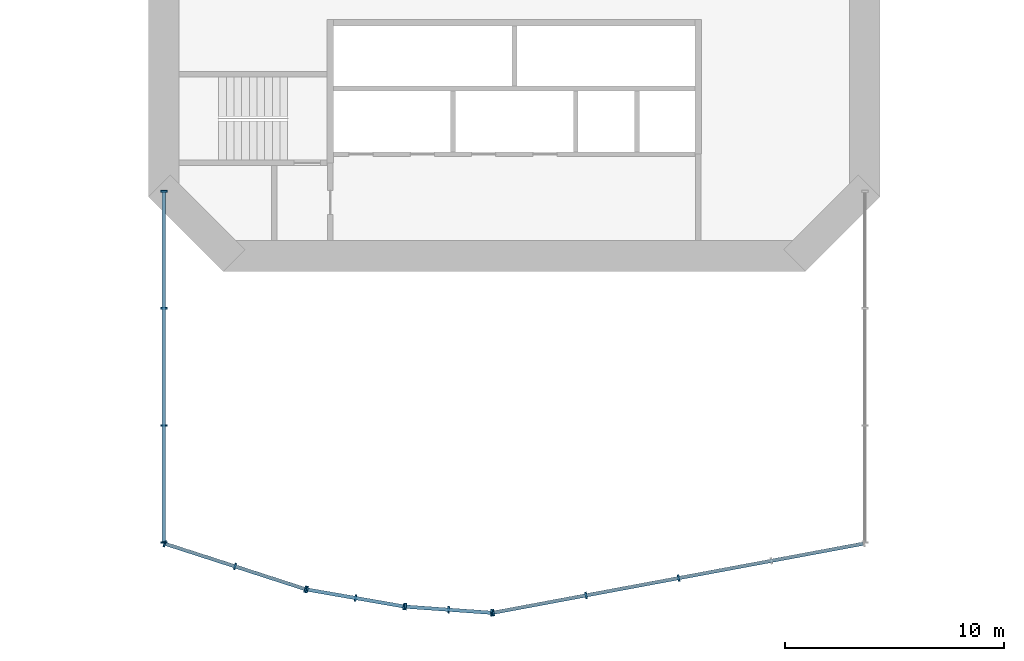
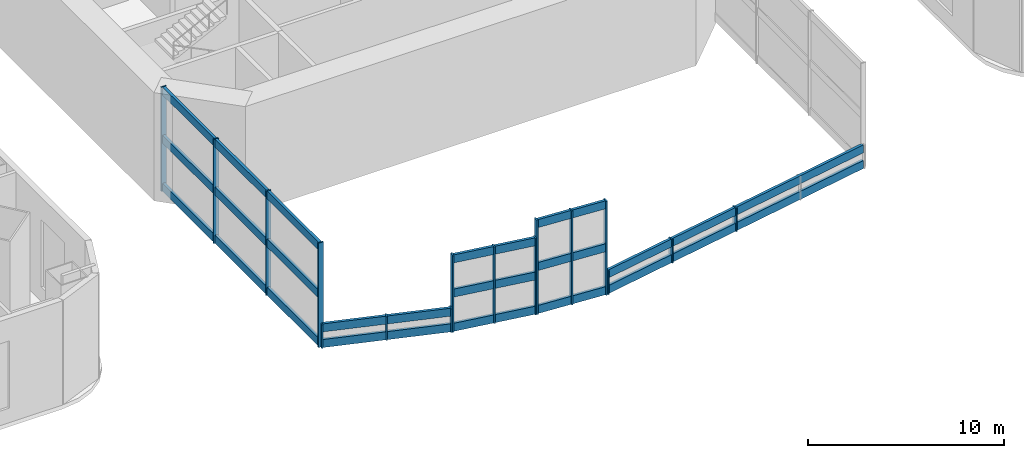
# One storey, part 2 of 19: 29 members, 5 elements without a shape of their own.
"""IFC4 building model written with IfcOpenShell, lengths in metres."""

from ifc_helpers import new_model, si_unit, direction, frame, origin, origin_2d, place, context, subcontext, project, spatial, rectangle, extrude, material, material_profile, profile_set, type_object, element, aggregate, save


model = new_model("IFC4")

# Units and contexts
model_context = context("Model", 3, precision=1e-05, world=origin(), true_north=direction((0.0, 1.0)))
body_context = subcontext(model_context, "Body", "Model", "MODEL_VIEW")
ifc_project = project(units=[si_unit("LENGTHUNIT", "METRE"), si_unit("AREAUNIT", "SQUARE_METRE"), si_unit("VOLUMEUNIT", "CUBIC_METRE"), si_unit("PLANEANGLEUNIT", "RADIAN"), si_unit("MASSUNIT", "GRAM", prefix="KILO")], contexts=[model_context])

# Site, building, storey
site_placement = place(None, origin())
site = spatial("IfcSite", under=ifc_project, at=site_placement, CompositionType="ELEMENT")
building_placement = place(site_placement, origin())
building = spatial("IfcBuilding", under=site, at=building_placement, Name="Marenthal Gate Tower", CompositionType="ELEMENT")
storey_placement = place(building_placement, frame((0.0, 0.0, 19.0)))
storey = spatial("IfcBuildingStorey", under=building, at=storey_placement, Name="L02", CompositionType="ELEMENT", Elevation=19.0)

# Curtain wall, members
ifc_material_1 = material(Name="Aluminium and glass", Category="aluminium")
curtain_wall_type = type_object("IfcCurtainWallType", Name="Curtain wall arch infill", PredefinedType="NOTDEFINED", material=ifc_material_1)
curtain_wall_1_placement = place(storey_placement, origin())
curtain_wall_1 = element("IfcCurtainWall", 1, at=curtain_wall_1_placement, inside=storey, type_object=curtain_wall_type, Name="Curtain wall L02 arch S1", PredefinedType="NOTDEFINED")
ifc_material_2 = material(Name="Aluminium", Category="aluminium")
ifc_material_profile_1 = material_profile(ifc_material_2, rectangle(XDim=0.300048828125, YDim=0.080078125, at=origin_2d()), Name="80x300 aluminium mullion")
ifc_profile_set_1 = profile_set([ifc_material_profile_1], Name="Aluminium")
member_type_1 = type_object("IfcMemberType", Name="Mullion 80x300 arch infill", PredefinedType="MULLION", material=ifc_profile_set_1)
member_1_placement = place(storey_placement, frame((-15.9619140625, -26.129638671875, 0.0), z_axis=(0.0, 0.0, 1.0), x_axis=(0.307641410292, 0.951502371344, 0.0)))
member_1 = element("IfcMember", 2, at=member_1_placement, type_object=member_type_1, Name="Mullion L02 arch S1.1", PredefinedType="MULLION", context=body_context, shape_type="SweptSolid", body=[
    extrude(rectangle(XDim=0.300048828125, YDim=0.080078125, at=origin_2d()), origin(), (0.0, 0.0, 1.0), 1.47509765625),
])
member_2_placement = place(storey_placement, frame((-12.75, -27.168212890625, 0.0), z_axis=(0.0, 0.0, 1.0), x_axis=(0.307641410292, 0.951502371344, 0.0)))
member_2 = element("IfcMember", 3, at=member_2_placement, type_object=member_type_1, Name="Mullion L02 arch S1.2", PredefinedType="MULLION", context=body_context, shape_type="SweptSolid", body=[
    extrude(rectangle(XDim=0.300048828125, YDim=0.080078125, at=origin_2d()), origin(), (0.0, 0.0, 1.0), 1.47509765625),
])
member_3_placement = place(storey_placement, frame((-9.5380859375, -28.206787109375, 0.0), z_axis=(0.0, 0.0, 1.0), x_axis=(0.307641410292, 0.951502371344, 0.0)))
member_3 = element("IfcMember", 4, at=member_3_placement, type_object=member_type_1, Name="Mullion L02 arch S1.3", PredefinedType="MULLION", context=body_context, shape_type="SweptSolid", body=[
    extrude(rectangle(XDim=0.300048828125, YDim=0.080078125, at=origin_2d()), origin(), (0.0, 0.0, 1.0), 1.47509765625),
])

curtain_wall_2_placement = place(storey_placement, origin())
curtain_wall_2 = element("IfcCurtainWall", 5, at=curtain_wall_2_placement, inside=storey, type_object=curtain_wall_type, Name="Curtain wall L02 arch S2", PredefinedType="NOTDEFINED")
member_4_placement = place(storey_placement, frame((-9.460693359375, -28.225830078125, 0.0), z_axis=(0.0, 0.0, 1.0), x_axis=(0.171972780668, 0.985101701709, 0.0)))
member_4 = element("IfcMember", 6, at=member_4_placement, type_object=member_type_1, Name="Mullion L02 arch S2.1", PredefinedType="MULLION", context=body_context, shape_type="SweptSolid", body=[
    extrude(rectangle(XDim=0.300048828125, YDim=0.080078125, at=origin_2d()), origin(), (0.0, 0.0, 1.0), 4.764892578125),
])
member_5_placement = place(storey_placement, frame((-7.25, -28.61181640625, 0.0), z_axis=(0.0, 0.0, 1.0), x_axis=(0.171972780668, 0.985101701709, 0.0)))
member_5 = element("IfcMember", 7, at=member_5_placement, type_object=member_type_1, Name="Mullion L02 arch S2.2", PredefinedType="MULLION", context=body_context, shape_type="SweptSolid", body=[
    extrude(rectangle(XDim=0.300048828125, YDim=0.080078125, at=origin_2d()), origin(), (0.0, 0.0, 1.0), 4.764892578125),
])
member_6_placement = place(storey_placement, frame((-5.039306640625, -28.997802734375, 0.0), z_axis=(0.0, 0.0, 1.0), x_axis=(0.171972780668, 0.985101701709, 0.0)))
member_6 = element("IfcMember", 8, at=member_6_placement, type_object=member_type_1, Name="Mullion L02 arch S2.3", PredefinedType="MULLION", context=body_context, shape_type="SweptSolid", body=[
    extrude(rectangle(XDim=0.300048828125, YDim=0.080078125, at=origin_2d()), origin(), (0.0, 0.0, 1.0), 4.764892578125),
])

curtain_wall_3_placement = place(storey_placement, origin())
curtain_wall_3 = element("IfcCurtainWall", 9, at=curtain_wall_3_placement, inside=storey, type_object=curtain_wall_type, Name="Curtain wall L02 arch S3", PredefinedType="NOTDEFINED")
member_7_placement = place(storey_placement, frame((-4.960205078125, -29.00732421875, 0.0), z_axis=(0.0, 0.0, 1.0), x_axis=(0.070734733401, 0.997495161638, 0.0)))
member_7 = element("IfcMember", 10, at=member_7_placement, type_object=member_type_1, Name="Mullion L02 arch S3.1", PredefinedType="MULLION", context=body_context, shape_type="SweptSolid", body=[
    extrude(rectangle(XDim=0.300048828125, YDim=0.080078125, at=origin_2d()), origin(), (0.0, 0.0, 1.0), 5.85400390625),
])
member_8_placement = place(storey_placement, frame((-3.0, -29.146484375, 0.0), z_axis=(0.0, 0.0, 1.0), x_axis=(0.070734733401, 0.997495161638, 0.0)))
member_8 = element("IfcMember", 11, at=member_8_placement, type_object=member_type_1, Name="Mullion L02 arch S3.2", PredefinedType="MULLION", context=body_context, shape_type="SweptSolid", body=[
    extrude(rectangle(XDim=0.300048828125, YDim=0.080078125, at=origin_2d()), origin(), (0.0, 0.0, 1.0), 5.85400390625),
])
member_9_placement = place(storey_placement, frame((-1.039794921875, -29.285400390625, 0.0), z_axis=(0.0, 0.0, 1.0), x_axis=(0.070734733401, 0.997495161638, 0.0)))
member_9 = element("IfcMember", 12, at=member_9_placement, type_object=member_type_1, Name="Mullion L02 arch S3.3", PredefinedType="MULLION", context=body_context, shape_type="SweptSolid", body=[
    extrude(rectangle(XDim=0.300048828125, YDim=0.080078125, at=origin_2d()), origin(), (0.0, 0.0, 1.0), 5.85400390625),
])

curtain_wall_4_placement = place(storey_placement, origin())
curtain_wall_4 = element("IfcCurtainWall", 13, at=curtain_wall_4_placement, inside=storey, type_object=curtain_wall_type, Name="Curtain wall L02 arch S4", PredefinedType="NOTDEFINED")
member_10_placement = place(storey_placement, frame((-0.960693359375, -29.281005859375, 0.0), z_axis=(0.0, 0.0, 1.0), x_axis=(-0.183356787375, 0.983046432537, 0.0)))
member_10 = element("IfcMember", 14, at=member_10_placement, type_object=member_type_1, Name="Mullion L02 arch S4.1", PredefinedType="MULLION", context=body_context, shape_type="SweptSolid", body=[
    extrude(rectangle(XDim=0.300048828125, YDim=0.080078125, at=origin_2d()), origin(), (0.0, 0.0, 1.0), 1.47509765625),
])
member_11_placement = place(storey_placement, frame((3.269775390625, -28.491943359375, 0.0), z_axis=(0.0, 0.0, 1.0), x_axis=(-0.183356787375, 0.983046432537, 0.0)))
member_11 = element("IfcMember", 15, at=member_11_placement, type_object=member_type_1, Name="Mullion L02 arch S4.2", PredefinedType="MULLION", context=body_context, shape_type="SweptSolid", body=[
    extrude(rectangle(XDim=0.300048828125, YDim=0.080078125, at=origin_2d()), origin(), (0.0, 0.0, 1.0), 1.47509765625),
])
member_12_placement = place(storey_placement, frame((7.5, -27.702880859375, 0.0), z_axis=(0.0, 0.0, 1.0), x_axis=(-0.183356787375, 0.983046432537, 0.0)))
member_12 = element("IfcMember", 16, at=member_12_placement, type_object=member_type_1, Name="Mullion L02 arch S4.3", PredefinedType="MULLION", context=body_context, shape_type="SweptSolid", body=[
    extrude(rectangle(XDim=0.300048828125, YDim=0.080078125, at=origin_2d()), origin(), (0.0, 0.0, 1.0), 1.47509765625),
])

curtain_wall_5_placement = place(storey_placement, origin())
curtain_wall_5 = element("IfcCurtainWall", 17, at=curtain_wall_5_placement, inside=storey, type_object=curtain_wall_type, Name="Curtain wall L02 hall SW1", PredefinedType="NOTDEFINED")
member_13_placement = place(storey_placement, frame((-16.0, -10.0400390625, 0.0), z_axis=(0.0, 0.0, 1.0), x_axis=(1.0, 0.0, 0.0)))
member_13 = element("IfcMember", 18, at=member_13_placement, type_object=member_type_1, Name="Mullion L02 hall SW1.1", PredefinedType="MULLION", context=body_context, shape_type="SweptSolid", body=[
    extrude(rectangle(XDim=0.300048828125, YDim=0.080078125, at=origin_2d()), origin(), (0.0, 0.0, 1.0), 6.5),
])
member_14_placement = place(storey_placement, frame((-16.0, -15.3857421875, 0.0), z_axis=(0.0, 0.0, 1.0), x_axis=(1.0, 0.0, 0.0)))
member_14 = element("IfcMember", 19, at=member_14_placement, type_object=member_type_1, Name="Mullion L02 hall SW1.2", PredefinedType="MULLION", context=body_context, shape_type="SweptSolid", body=[
    extrude(rectangle(XDim=0.300048828125, YDim=0.080078125, at=origin_2d()), origin(), (0.0, 0.0, 1.0), 6.5),
])
member_15_placement = place(storey_placement, frame((-16.0, -20.731689453125, 0.0), z_axis=(0.0, 0.0, 1.0), x_axis=(1.0, 0.0, 0.0)))
member_15 = element("IfcMember", 20, at=member_15_placement, type_object=member_type_1, Name="Mullion L02 hall SW1.3", PredefinedType="MULLION", context=body_context, shape_type="SweptSolid", body=[
    extrude(rectangle(XDim=0.300048828125, YDim=0.080078125, at=origin_2d()), origin(), (0.0, 0.0, 1.0), 6.5),
])
member_16_placement = place(storey_placement, frame((-16.0, -26.077392578125, 0.0), z_axis=(0.0, 0.0, 1.0), x_axis=(1.0, 0.0, 0.0)))
member_16 = element("IfcMember", 21, at=member_16_placement, type_object=member_type_1, Name="Mullion L02 hall SW1.4", PredefinedType="MULLION", context=body_context, shape_type="SweptSolid", body=[
    extrude(rectangle(XDim=0.300048828125, YDim=0.080078125, at=origin_2d()), origin(), (0.0, 0.0, 1.0), 6.5),
])

# Member
ifc_material_3 = material(Name="Aluminium", Category="aluminium")
ifc_material_profile_2 = material_profile(ifc_material_3, rectangle(XDim=0.159912109375, YDim=0.5, at=origin_2d()), Name="160x500 aluminium transom")
ifc_profile_set_2 = profile_set([ifc_material_profile_2], Name="Aluminium")
member_type_2 = type_object("IfcMemberType", Name="Transom 160x500 arch infill", PredefinedType="USERDEFINED", material=ifc_profile_set_2)
member_17_placement = place(storey_placement, frame((-15.923828125, -26.14208984375, 0.25), z_axis=(0.951506286254, -0.307629301625, 0.0), x_axis=(0.307629301625, 0.951506286254, 0.0)))
member_17 = element("IfcMember", 22, at=member_17_placement, type_object=member_type_2, Name="Transom L02 arch S1.1", ObjectType="TRANSOM", PredefinedType="USERDEFINED", context=body_context, shape_type="SweptSolid", body=[
    extrude(rectangle(XDim=0.159912109375, YDim=0.5, at=origin_2d()), origin(), (0.0, 0.0, 1.0), 6.671142578125),
])

member_18_placement = place(storey_placement, frame((-15.923828125, -26.14208984375, 1.22509765625), z_axis=(0.951506286254, -0.307629301625, 0.0), x_axis=(0.307629301625, 0.951506286254, 0.0)))
member_18 = element("IfcMember", 23, at=member_18_placement, type_object=member_type_2, Name="Transom L02 arch S1.2", ObjectType="TRANSOM", PredefinedType="USERDEFINED", context=body_context, shape_type="SweptSolid", body=[
    extrude(rectangle(XDim=0.159912109375, YDim=0.5, at=origin_2d()), origin(), (0.0, 0.0, 1.0), 6.671142578125),
])

aggregate(curtain_wall_1, [member_1, member_2, member_3, member_17, member_18])

member_19_placement = place(storey_placement, frame((-9.421142578125, -28.232666015625, 0.25), z_axis=(0.985101388271, -0.171974576104, 0.0), x_axis=(0.171974576104, 0.985101388271, 0.0)))
member_19 = element("IfcMember", 24, at=member_19_placement, type_object=member_type_2, Name="Transom L02 arch S2.1", ObjectType="TRANSOM", PredefinedType="USERDEFINED", context=body_context, shape_type="SweptSolid", body=[
    extrude(rectangle(XDim=0.159912109375, YDim=0.5, at=origin_2d()), origin(), (0.0, 0.0, 1.0), 4.407958984375),
])

member_20_placement = place(storey_placement, frame((-9.421142578125, -28.232666015625, 2.382568359375), z_axis=(0.985101388271, -0.171974576104, 0.0), x_axis=(0.171974576104, 0.985101388271, 0.0)))
member_20 = element("IfcMember", 25, at=member_20_placement, type_object=member_type_2, Name="Transom L02 arch S2.2", ObjectType="TRANSOM", PredefinedType="USERDEFINED", context=body_context, shape_type="SweptSolid", body=[
    extrude(rectangle(XDim=0.159912109375, YDim=0.5, at=origin_2d()), origin(), (0.0, 0.0, 1.0), 4.407958984375),
])

member_21_placement = place(storey_placement, frame((-9.421142578125, -28.232666015625, 4.514892578125), z_axis=(0.985101388271, -0.171974576104, 0.0), x_axis=(0.171974576104, 0.985101388271, 0.0)))
member_21 = element("IfcMember", 26, at=member_21_placement, type_object=member_type_2, Name="Transom L02 arch S2.3", ObjectType="TRANSOM", PredefinedType="USERDEFINED", context=body_context, shape_type="SweptSolid", body=[
    extrude(rectangle(XDim=0.159912109375, YDim=0.5, at=origin_2d()), origin(), (0.0, 0.0, 1.0), 4.407958984375),
])

aggregate(curtain_wall_2, [member_4, member_5, member_6, member_19, member_20, member_21])

member_22_placement = place(storey_placement, frame((-4.920166015625, -29.01025390625, 0.25), z_axis=(0.997497180855, -0.070706252807, 0.0), x_axis=(0.070706252807, 0.997497180855, 0.0)))
member_22 = element("IfcMember", 27, at=member_22_placement, type_object=member_type_2, Name="Transom L02 arch S3.1", ObjectType="TRANSOM", PredefinedType="USERDEFINED", context=body_context, shape_type="SweptSolid", body=[
    extrude(rectangle(XDim=0.159912109375, YDim=0.5, at=origin_2d()), origin(), (0.0, 0.0, 1.0), 3.849853515625),
])

member_23_placement = place(storey_placement, frame((-4.920166015625, -29.01025390625, 2.927001953125), z_axis=(0.997497180855, -0.070706252807, 0.0), x_axis=(0.070706252807, 0.997497180855, 0.0)))
member_23 = element("IfcMember", 28, at=member_23_placement, type_object=member_type_2, Name="Transom L02 arch S3.2", ObjectType="TRANSOM", PredefinedType="USERDEFINED", context=body_context, shape_type="SweptSolid", body=[
    extrude(rectangle(XDim=0.159912109375, YDim=0.5, at=origin_2d()), origin(), (0.0, 0.0, 1.0), 3.849853515625),
])

member_24_placement = place(storey_placement, frame((-4.920166015625, -29.01025390625, 5.60400390625), z_axis=(0.997497180855, -0.070706252807, 0.0), x_axis=(0.070706252807, 0.997497180855, 0.0)))
member_24 = element("IfcMember", 29, at=member_24_placement, type_object=member_type_2, Name="Transom L02 arch S3.3", ObjectType="TRANSOM", PredefinedType="USERDEFINED", context=body_context, shape_type="SweptSolid", body=[
    extrude(rectangle(XDim=0.159912109375, YDim=0.5, at=origin_2d()), origin(), (0.0, 0.0, 1.0), 3.849853515625),
])

aggregate(curtain_wall_3, [member_7, member_8, member_9, member_22, member_23, member_24])

member_25_placement = place(storey_placement, frame((-0.92138671875, -29.273681640625, 0.25), z_axis=(0.983045326162, 0.183362718981, 0.0), x_axis=(-0.183362718981, 0.983045326162, 0.0)))
member_25 = element("IfcMember", 30, at=member_25_placement, type_object=member_type_2, Name="Transom L02 arch S4.1", ObjectType="TRANSOM", PredefinedType="USERDEFINED", context=body_context, shape_type="SweptSolid", body=[
    extrude(rectangle(XDim=0.159912109375, YDim=0.5, at=origin_2d()), origin(), (0.0, 0.0, 1.0), 17.13330078125),
])

member_26_placement = place(storey_placement, frame((-0.92138671875, -29.273681640625, 1.22509765625), z_axis=(0.983045326162, 0.183362718981, 0.0), x_axis=(-0.183362718981, 0.983045326162, 0.0)))
member_26 = element("IfcMember", 31, at=member_26_placement, type_object=member_type_2, Name="Transom L02 arch S4.2", ObjectType="TRANSOM", PredefinedType="USERDEFINED", context=body_context, shape_type="SweptSolid", body=[
    extrude(rectangle(XDim=0.159912109375, YDim=0.5, at=origin_2d()), origin(), (0.0, 0.0, 1.0), 17.13330078125),
])

aggregate(curtain_wall_4, [member_10, member_11, member_12, member_25, member_26])

member_27_placement = place(storey_placement, frame((-16.0, -10.080078125, 0.25), z_axis=(0.0, -1.0, 0.0), x_axis=(1.0, 0.0, 0.0)))
member_27 = element("IfcMember", 32, at=member_27_placement, type_object=member_type_2, Name="Transom L02 hall SW1.1", ObjectType="TRANSOM", PredefinedType="USERDEFINED", context=body_context, shape_type="SweptSolid", body=[
    extrude(rectangle(XDim=0.159912109375, YDim=0.5, at=origin_2d()), origin(), (0.0, 0.0, 1.0), 15.957275390625),
])

member_28_placement = place(storey_placement, frame((-16.0, -10.080078125, 3.25), z_axis=(0.0, -1.0, 0.0), x_axis=(1.0, 0.0, 0.0)))
member_28 = element("IfcMember", 33, at=member_28_placement, type_object=member_type_2, Name="Transom L02 hall SW1.2", ObjectType="TRANSOM", PredefinedType="USERDEFINED", context=body_context, shape_type="SweptSolid", body=[
    extrude(rectangle(XDim=0.159912109375, YDim=0.5, at=origin_2d()), origin(), (0.0, 0.0, 1.0), 15.957275390625),
])

member_29_placement = place(storey_placement, frame((-16.0, -10.080078125, 6.25), z_axis=(0.0, -1.0, 0.0), x_axis=(1.0, 0.0, 0.0)))
member_29 = element("IfcMember", 34, at=member_29_placement, type_object=member_type_2, Name="Transom L02 hall SW1.3", ObjectType="TRANSOM", PredefinedType="USERDEFINED", context=body_context, shape_type="SweptSolid", body=[
    extrude(rectangle(XDim=0.159912109375, YDim=0.5, at=origin_2d()), origin(), (0.0, 0.0, 1.0), 15.957275390625),
])

aggregate(curtain_wall_5, [member_13, member_14, member_15, member_16, member_27, member_28, member_29])

save(model, "model.ifc")
